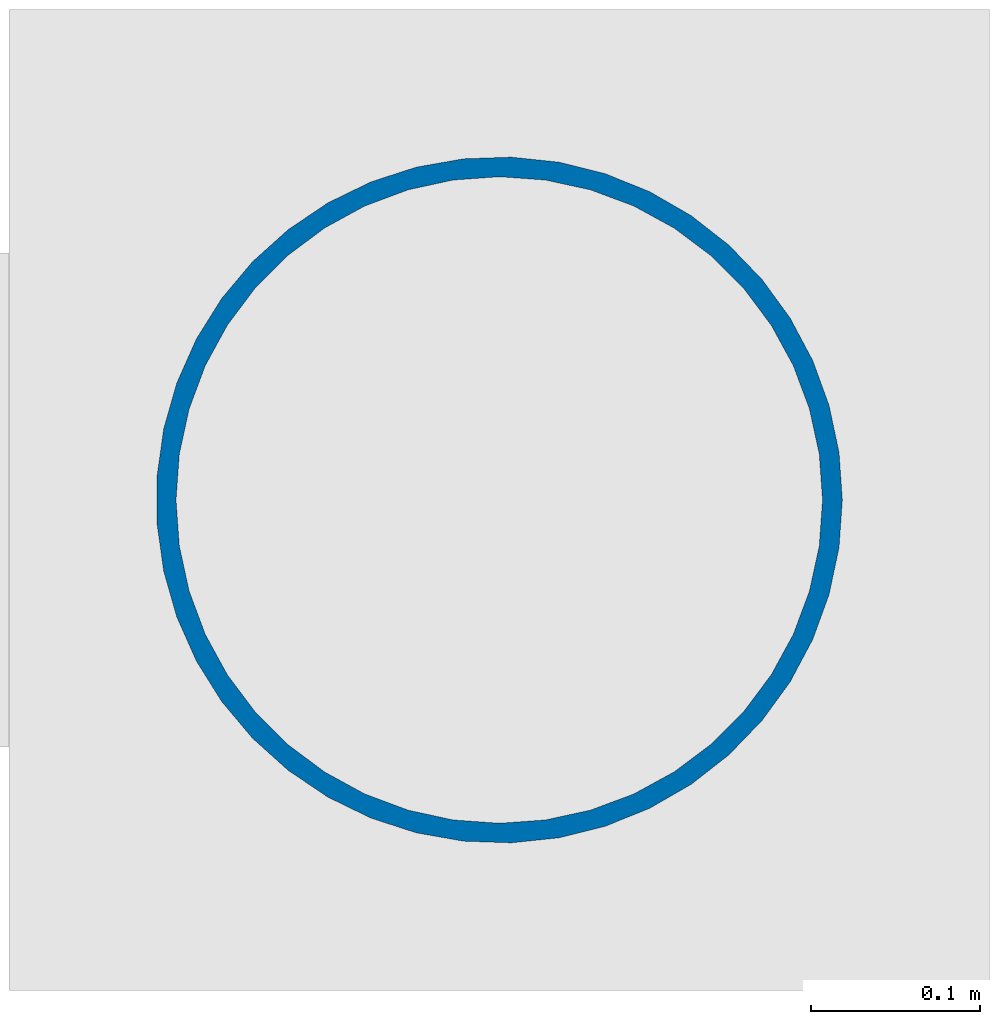
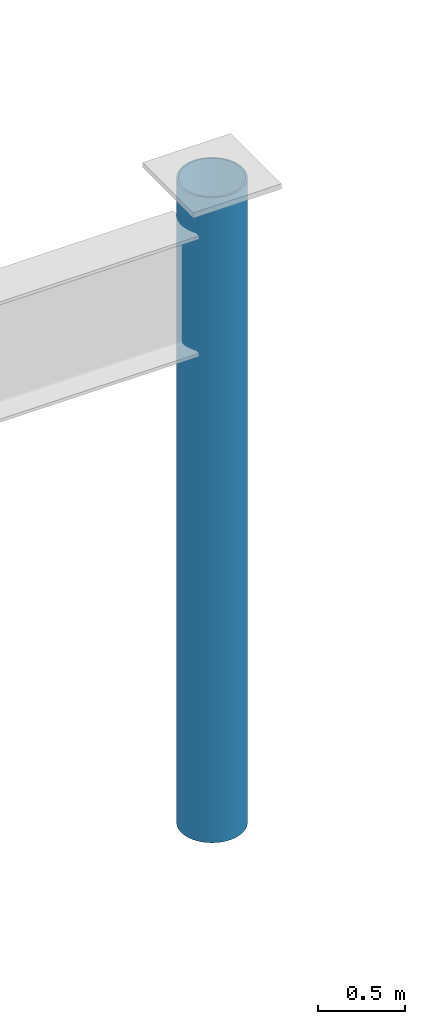
# One storey, part 6 of 78: 1 column.
"""IFC4 building model written with IfcOpenShell, lengths in metres."""

from ifc_helpers import new_model, si_unit, direction, frame, origin, origin_2d, place, context, subcontext, project, spatial, hollow_circle, extrude, material, material_profile, profile_set, type_object, element, save


model = new_model("IFC4")

# Units and contexts
model_context = context("Model", 3, precision=1e-05, world=origin(), true_north=direction((0.0, 1.0)))
body_context = subcontext(model_context, "Body", "Model", "MODEL_VIEW")
ifc_project = project(units=[si_unit("LENGTHUNIT", "METRE"), si_unit("AREAUNIT", "SQUARE_METRE"), si_unit("VOLUMEUNIT", "CUBIC_METRE"), si_unit("PLANEANGLEUNIT", "RADIAN"), si_unit("MASSUNIT", "GRAM", prefix="KILO")], contexts=[model_context])

# Site, building, storey
site_placement = place(None, origin())
site = spatial("IfcSite", under=ifc_project, at=site_placement, CompositionType="ELEMENT")
building_placement = place(site_placement, origin())
building = spatial("IfcBuilding", under=site, at=building_placement, Name="Solmirada Galleria", CompositionType="ELEMENT")
storey_placement = place(building_placement, frame((0.0, 0.0, 23.89990234375)))
storey = spatial("IfcBuildingStorey", under=building, at=storey_placement, Name="L05", CompositionType="ELEMENT", Elevation=23.89990234375)

# Column
ifc_material = material(Name="Steel S355 / ASTM A500 Grade C", Category="steel")
ifc_material_profile = material_profile(ifc_material, hollow_circle(Radius=0.202880859375, WallThickness=0.01171875, at=origin_2d()), Name="HSS16.000X0.500")
ifc_profile_set = profile_set([ifc_material_profile], Name="Steel S355 / ASTM A500 Grade C")
column_type = type_object("IfcColumnType", Name="COL-CHS16", PredefinedType="COLUMN", material=ifc_profile_set)
column_placement = place(storey_placement, frame((144.0, 32.0, 0.0), z_axis=(0.0, 0.0, 1.0), x_axis=(1.0, 0.0, 0.0)))
element("IfcColumn", 1, at=column_placement, inside=storey, type_object=column_type, Name="Structural column L05-1231", PredefinedType="COLUMN", context=body_context, shape_type="SweptSolid", body=[
    extrude(hollow_circle(Radius=0.202880859375, WallThickness=0.01171875, at=origin_2d()), origin(), (0.0, 0.0, 1.0), 4.5),
])

save(model, "model.ifc")
